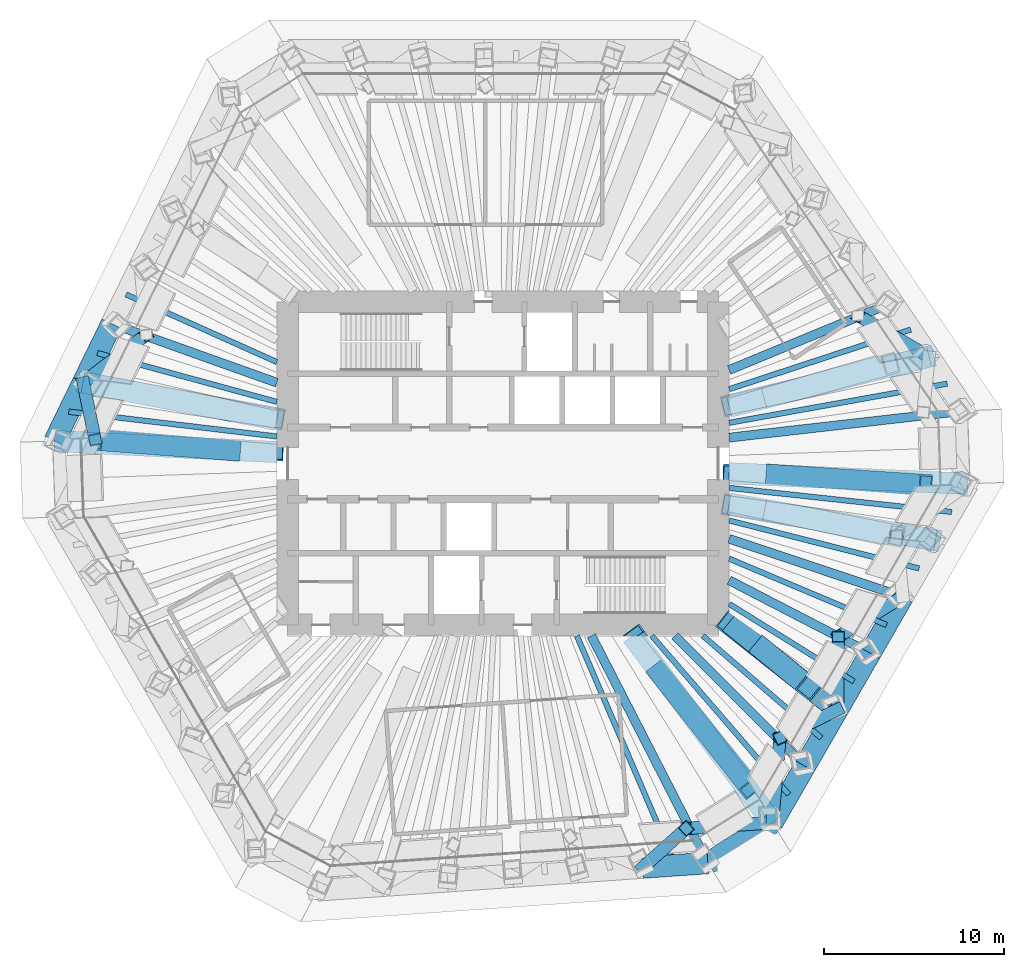
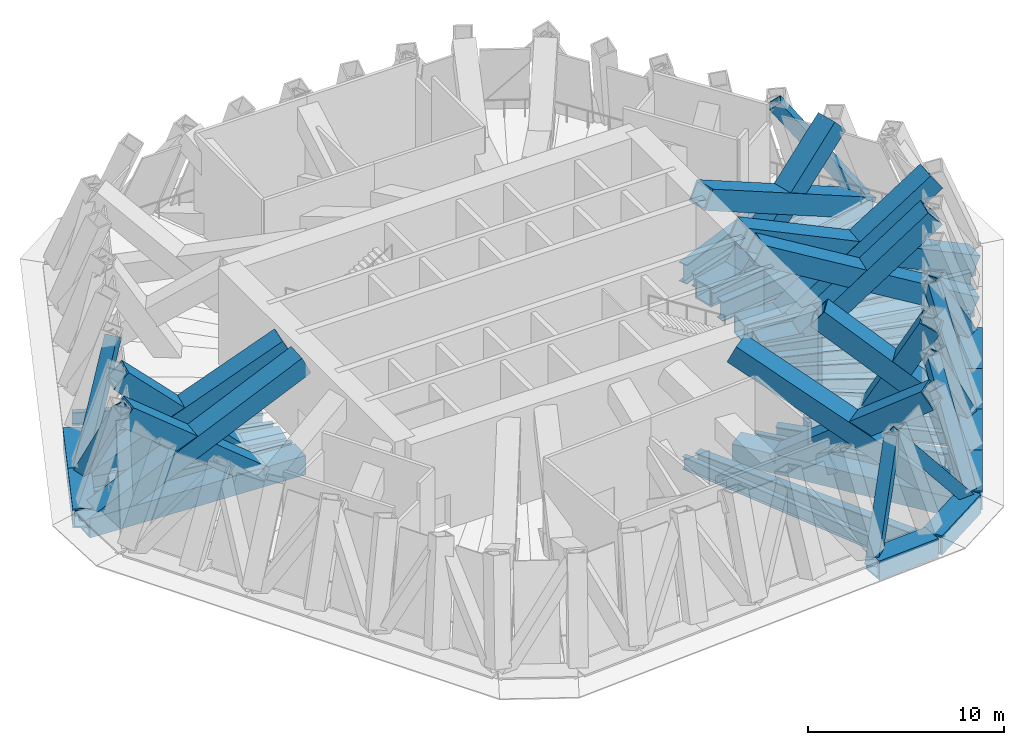
# One storey, part 3 of 12: 31 members, 26 beams.
"""IFC4 building model written with IfcOpenShell, lengths in metres."""

from ifc_helpers import new_model, si_unit, direction, frame, origin, origin_2d, place, context, subcontext, project, spatial, hollow_rectangle, i_section, extrude, material, material_profile, profile_set, type_object, element, save


model = new_model("IFC4")

# Units and contexts
model_context = context("Model", 3, precision=1e-05, world=origin(), true_north=direction((0.0, 1.0)))
body_context = subcontext(model_context, "Body", "Model", "MODEL_VIEW")
ifc_project = project(units=[si_unit("LENGTHUNIT", "METRE"), si_unit("AREAUNIT", "SQUARE_METRE"), si_unit("VOLUMEUNIT", "CUBIC_METRE"), si_unit("PLANEANGLEUNIT", "RADIAN"), si_unit("MASSUNIT", "GRAM", prefix="KILO")], contexts=[model_context])

# Site, building, storey
site_placement = place(None, origin())
site = spatial("IfcSite", under=ifc_project, at=site_placement, CompositionType="ELEMENT")
building_placement = place(site_placement, origin())
building = spatial("IfcBuilding", under=site, at=building_placement, Name="Qingtian Harvest Tower", CompositionType="ELEMENT")
storey_placement = place(building_placement, frame((0.0, 0.0, 256.0)))
storey = spatial("IfcBuildingStorey", under=building, at=storey_placement, Name="L56", CompositionType="ELEMENT", Elevation=256.0)

# Members
ifc_material_1 = material(Name="Steel SM570MC", Category="steel")
ifc_material_profile_1 = material_profile(ifc_material_1, hollow_rectangle(XDim=1.199951171875, YDim=1.199951171875, WallThickness=0.10009765625, at=origin_2d()), Name="BOX1200x1200x100")
ifc_profile_set_1 = profile_set([ifc_material_profile_1], Name="Steel SM570MC")
member_type_1 = type_object("IfcMemberType", Name="Belt truss chord BC3 BOX1200x1200x100", PredefinedType="CHORD", material=ifc_profile_set_1)
for number, where, z_axis, x_axis, name in (
    (1, (22.27099609375, -7.425537109375, -0.60009765625), (-0.499976434558, -0.866039008871, 0.0), (0.866039008871, -0.499976434558, 0.0), "Belt chord BC3 SE2"),
    (2, (20.454345703125, -10.572265625, -0.60009765625), (-0.500026827678, -0.866009914263, 0.0), (0.866009914263, -0.500026827678, 0.0), "Belt chord BC3 SE3"),
    (3, (18.637451171875, -13.718994140625, -0.60009765625), (-0.499976434558, -0.866039008871, 0.0), (0.866039008871, -0.499976434558, 0.0), "Belt chord BC3 SE4"),
    (4, (16.82080078125, -16.86572265625, -0.60009765625), (-0.500026827678, -0.866009914263, 0.0), (0.866009914263, -0.500026827678, 0.0), "Belt chord BC3 SE5"),
):
    element("IfcMember", number, at=place(storey_placement, frame(where, z_axis=z_axis, x_axis=x_axis)), inside=storey, type_object=member_type_1, Name=name, PredefinedType="CHORD", context=body_context, shape_type="SweptSolid", body=[
        extrude(hollow_rectangle(XDim=1.199951171875, YDim=1.199951171875, WallThickness=0.10009765625, at=origin_2d()), origin(), (0.0, 0.0, 1.0), 3.633544921875),
    ])
member_1_placement = place(storey_placement, frame((15.00390625, -20.012451171875, -0.60009765625), z_axis=(-0.848056550838, -0.529905733675, 0.0), x_axis=(0.529905733675, -0.848056550838, 0.0)))
element("IfcMember", 5, at=member_1_placement, inside=storey, type_object=member_type_1, Name="Belt chord BC3 SEC", PredefinedType="CHORD", context=body_context, shape_type="SweptSolid", body=[
    extrude(hollow_rectangle(XDim=1.199951171875, YDim=1.199951171875, WallThickness=0.10009765625, at=origin_2d()), origin(), (0.0, 0.0, 1.0), 4.23828125),
])
member_2_placement = place(storey_placement, frame((11.40966796875, -22.25830078125, -0.60009765625), z_axis=(-0.997564674207, -0.069747550305, 0.0), x_axis=(0.069747550305, -0.997564674207, 0.0)))
element("IfcMember", 6, at=member_2_placement, inside=storey, type_object=member_type_1, Name="Belt chord BC3 S0", PredefinedType="CHORD", context=body_context, shape_type="SweptSolid", body=[
    extrude(hollow_rectangle(XDim=1.199951171875, YDim=1.199951171875, WallThickness=0.10009765625, at=origin_2d()), origin(), (0.0, 0.0, 1.0), 3.63330078125),
])
for number, where, z_axis, x_axis, name in (
    (7, (-24.981201171875, 1.248046875, -0.60009765625), (0.438349498419, 0.898804604592, 0.0), (-0.898804604592, 0.438349498419, 0.0), "Belt chord BC3 NW0"),
    (8, (-23.388427734375, 4.513916015625, -0.60009765625), (0.438430251153, 0.898765216769, 0.0), (-0.898765216769, 0.438430251153, 0.0), "Belt chord BC3 NW1"),
):
    element("IfcMember", number, at=place(storey_placement, frame(where, z_axis=z_axis, x_axis=x_axis)), inside=storey, type_object=member_type_1, Name=name, PredefinedType="CHORD", context=body_context, shape_type="SweptSolid", body=[
        extrude(hollow_rectangle(XDim=1.199951171875, YDim=1.199951171875, WallThickness=0.10009765625, at=origin_2d()), origin(), (0.0, 0.0, 1.0), 3.633544921875),
    ])
ifc_material_2 = material(Name="Steel SM570MC", Category="steel")
ifc_material_profile_2 = material_profile(ifc_material_2, hollow_rectangle(XDim=0.699951171875, YDim=0.699951171875, WallThickness=0.0400390625, at=origin_2d()), Name="BOX700x700x40")
ifc_profile_set_2 = profile_set([ifc_material_profile_2], Name="Steel SM570MC")
member_type_2 = type_object("IfcMemberType", Name="Belt truss diagonal BD3 BOX700x700x40", PredefinedType="BRACE", material=ifc_profile_set_2)
member_3_placement = place(storey_placement, frame((19.77294921875, 8.2392578125, 5.39990234375), z_axis=(0.52462591247, -0.303655847061, -0.795336896234), x_axis=(0.500943668648, 0.865479890489, 0.0)))
element("IfcMember", 9, at=member_3_placement, inside=storey, type_object=member_type_2, Name="Belt truss diagonal BD3 L56 NE4", PredefinedType="BRACE", context=body_context, shape_type="SweptSolid", body=[
    extrude(hollow_rectangle(XDim=0.699951171875, YDim=0.699951171875, WallThickness=0.0400390625, at=origin_2d()), origin(), (0.0, 0.0, 1.0), 7.5439453125),
])
member_4_placement = place(storey_placement, frame((22.27099609375, -7.425537109375, -0.60009765625), z_axis=(-0.489787423364, -0.303410787217, 0.817343363658), x_axis=(0.526616902988, -0.850102721727, 0.0)))
element("IfcMember", 10, at=member_4_placement, inside=storey, type_object=member_type_2, Name="Belt truss diagonal BD3 L56 SE2", PredefinedType="BRACE", context=body_context, shape_type="SweptSolid", body=[
    extrude(hollow_rectangle(XDim=0.699951171875, YDim=0.699951171875, WallThickness=0.0400390625, at=origin_2d()), origin(), (0.0, 0.0, 1.0), 7.3408203125),
])
member_5_placement = place(storey_placement, frame((18.675537109375, -9.65283203125, 5.39990234375), z_axis=(-0.005254601266, -0.560996051782, -0.827801799376), x_axis=(0.999956136695, -0.009366145741, 0.0)))
element("IfcMember", 11, at=member_5_placement, inside=storey, type_object=member_type_2, Name="Belt truss diagonal BD3 L56 SE3", PredefinedType="BRACE", context=body_context, shape_type="SweptSolid", body=[
    extrude(hollow_rectangle(XDim=0.699951171875, YDim=0.699951171875, WallThickness=0.0400390625, at=origin_2d()), origin(), (0.0, 0.0, 1.0), 7.248046875),
])
member_6_placement = place(storey_placement, frame((18.637451171875, -13.718994140625, -0.60009765625), z_axis=(-0.45980566953, -0.223398130283, 0.859460308364), x_axis=(0.437005174723, -0.899458991431, 0.0)))
element("IfcMember", 12, at=member_6_placement, inside=storey, type_object=member_type_2, Name="Belt truss diagonal BD3 L56 SE4", PredefinedType="BRACE", context=body_context, shape_type="SweptSolid", body=[
    extrude(hollow_rectangle(XDim=0.699951171875, YDim=0.699951171875, WallThickness=0.0400390625, at=origin_2d()), origin(), (0.0, 0.0, 1.0), 6.981201171875),
])
member_7_placement = place(storey_placement, frame((15.427490234375, -15.278564453125, 5.39990234375), z_axis=(-0.055338972652, -0.61845687592, -0.783867776308), x_axis=(0.996020623984, -0.089123041909, 0.0)))
element("IfcMember", 13, at=member_7_placement, inside=storey, type_object=member_type_2, Name="Belt truss diagonal BD3 L56 SE5", PredefinedType="BRACE", context=body_context, shape_type="SweptSolid", body=[
    extrude(hollow_rectangle(XDim=0.699951171875, YDim=0.699951171875, WallThickness=0.0400390625, at=origin_2d()), origin(), (0.0, 0.0, 1.0), 7.654296875),
])
member_8_placement = place(storey_placement, frame((15.00390625, -20.012451171875, -0.60009765625), z_axis=(-0.62369502076, -0.042272027326, 0.780523924544), x_axis=(0.067621620953, -0.997711038518, 0.0)))
element("IfcMember", 14, at=member_8_placement, inside=storey, type_object=member_type_2, Name="Belt truss diagonal BD3 L56 SE6", PredefinedType="BRACE", context=body_context, shape_type="SweptSolid", body=[
    extrude(hollow_rectangle(XDim=0.699951171875, YDim=0.699951171875, WallThickness=0.0400390625, at=origin_2d()), origin(), (0.0, 0.0, 1.0), 7.687255859375),
])
for number, where, z_axis, x_axis, name in (
    (15, (10.20947265625, -20.33740234375, 5.39990234375), (-0.355118438212, -0.318497966839, -0.87889131294), (0.667679722869, -0.744448646765, 0.0), "Belt truss diagonal BD3 L56 S0"),
    (16, (-22.71728515625, 1.3271484375, 5.39990234375), (-0.098309219782, 0.466798925359, -0.878882279142), (-0.978534669791, -0.206082265169, 0.0), "Belt truss diagonal BD3 L56 NW0"),
):
    element("IfcMember", number, at=place(storey_placement, frame(where, z_axis=z_axis, x_axis=x_axis)), inside=storey, type_object=member_type_2, Name=name, PredefinedType="BRACE", context=body_context, shape_type="SweptSolid", body=[
        extrude(hollow_rectangle(XDim=0.699951171875, YDim=0.699951171875, WallThickness=0.0400390625, at=origin_2d()), origin(), (0.0, 0.0, 1.0), 6.826904296875),
    ])
member_9_placement = place(storey_placement, frame((-23.388427734375, 4.513916015625, -0.60009765625), z_axis=(0.472697799951, 0.356236973779, 0.806009930729), x_axis=(-0.60185126369, 0.798608199554, 0.0)))
element("IfcMember", 17, at=member_9_placement, inside=storey, type_object=member_type_2, Name="Belt truss diagonal BD3 L56 NW1", PredefinedType="BRACE", context=body_context, shape_type="SweptSolid", body=[
    extrude(hollow_rectangle(XDim=0.699951171875, YDim=0.699951171875, WallThickness=0.0400390625, at=origin_2d()), origin(), (0.0, 0.0, 1.0), 7.444091796875),
])

# Beams
ifc_material_3 = material(Name="Steel SN490B", Category="steel")
ifc_material_profile_3 = material_profile(ifc_material_3, i_section(OverallWidth=0.300048828125, OverallDepth=0.800048828125, WebThickness=0.013916015625, FlangeThickness=0.02587890625, at=origin_2d()), Name="H800x300x14x26")
ifc_profile_set_3 = profile_set([ifc_material_profile_3], Name="Steel SN490B")
beam_type_1 = type_object("IfcBeamType", Name="Floor joist J1 H800x300x14x26", PredefinedType="JOIST", material=ifc_profile_set_3)
beam_1_placement = place(storey_placement, frame((22.71484375, 7.454833984375, -0.679931640625), z_axis=(-0.950138567513, -0.311828001508, 0.0), x_axis=(0.311828001508, -0.950138567513, 0.0)))
element("IfcBeam", 18, at=beam_1_placement, inside=storey, type_object=beam_type_1, Name="Floor joist J1 NE4", PredefinedType="JOIST", context=body_context, shape_type="SweptSolid", body=[
    extrude(i_section(OverallWidth=0.300048828125, OverallDepth=0.800048828125, WebThickness=0.013916015625, FlangeThickness=0.02587890625, at=origin_2d()), origin(), (0.0, 0.0, 1.0), 10.6455078125),
])
beam_2_placement = place(storey_placement, frame((24.74658203125, 4.4423828125, -0.679931640625), z_axis=(-0.98426723745, -0.176686177393, 0.0), x_axis=(0.176686177393, -0.98426723745, 0.0)))
element("IfcBeam", 19, at=beam_2_placement, inside=storey, type_object=beam_type_1, Name="Floor joist J1 NE5", PredefinedType="JOIST", context=body_context, shape_type="SweptSolid", body=[
    extrude(i_section(OverallWidth=0.300048828125, OverallDepth=0.800048828125, WebThickness=0.013916015625, FlangeThickness=0.02587890625, at=origin_2d()), origin(), (0.0, 0.0, 1.0), 12.340576171875),
])
beam_3_placement = place(storey_placement, frame((24.99609375, -2.705322265625, -0.679931640625), z_axis=(-0.994194656298, 0.107596400448, 0.0), x_axis=(-0.107596400448, -0.994194656298, 0.0)))
element("IfcBeam", 20, at=beam_3_placement, inside=storey, type_object=beam_type_1, Name="Floor joist J1 SE0", PredefinedType="JOIST", context=body_context, shape_type="SweptSolid", body=[
    extrude(i_section(OverallWidth=0.300048828125, OverallDepth=0.800048828125, WebThickness=0.013916015625, FlangeThickness=0.02587890625, at=origin_2d()), origin(), (0.0, 0.0, 1.0), 12.46826171875),
])
beam_4_placement = place(storey_placement, frame((23.179443359375, -5.85205078125, -0.679931640625), z_axis=(-0.969577887027, 0.244783007963, 0.0), x_axis=(-0.244783007963, -0.969577887027, 0.0)))
element("IfcBeam", 21, at=beam_4_placement, inside=storey, type_object=beam_type_1, Name="Floor joist J1 SE1", PredefinedType="JOIST", context=body_context, shape_type="SweptSolid", body=[
    extrude(i_section(OverallWidth=0.300048828125, OverallDepth=0.800048828125, WebThickness=0.013916015625, FlangeThickness=0.02587890625, at=origin_2d()), origin(), (0.0, 0.0, 1.0), 10.911376953125),
])
beam_5_placement = place(storey_placement, frame((21.362548828125, -8.998779296875, -0.679931640625), z_axis=(-0.921571079516, 0.388209666803, 0.0), x_axis=(-0.388209666803, -0.921571079516, 0.0)))
element("IfcBeam", 22, at=beam_5_placement, inside=storey, type_object=beam_type_1, Name="Floor joist J1 SE2", PredefinedType="JOIST", context=body_context, shape_type="SweptSolid", body=[
    extrude(i_section(OverallWidth=0.300048828125, OverallDepth=0.800048828125, WebThickness=0.013916015625, FlangeThickness=0.02587890625, at=origin_2d()), origin(), (0.0, 0.0, 1.0), 9.508056640625),
])
beam_6_placement = place(storey_placement, frame((19.5458984375, -12.1455078125, -0.679931640625), z_axis=(-0.849380822906, 0.527780463526, 0.0), x_axis=(-0.527780463526, -0.849380822906, 0.0)))
element("IfcBeam", 23, at=beam_6_placement, inside=storey, type_object=beam_type_1, Name="Floor joist J1 SE3", PredefinedType="JOIST", context=body_context, shape_type="SweptSolid", body=[
    extrude(i_section(OverallWidth=0.300048828125, OverallDepth=0.800048828125, WebThickness=0.013916015625, FlangeThickness=0.02587890625, at=origin_2d()), origin(), (0.0, 0.0, 1.0), 8.177490234375),
])
beam_7_placement = place(storey_placement, frame((17.72900390625, -15.292236328125, -0.679931640625), z_axis=(-0.757237954988, 0.653139096613, 0.0), x_axis=(-0.653139096613, -0.757237954988, 0.0)))
element("IfcBeam", 24, at=beam_7_placement, inside=storey, type_object=beam_type_1, Name="Floor joist J1 SE4", PredefinedType="JOIST", context=body_context, shape_type="SweptSolid", body=[
    extrude(i_section(OverallWidth=0.300048828125, OverallDepth=0.800048828125, WebThickness=0.013916015625, FlangeThickness=0.02587890625, at=origin_2d()), origin(), (0.0, 0.0, 1.0), 8.715087890625),
])
beam_8_placement = place(storey_placement, frame((15.912353515625, -18.43896484375, -0.679931640625), z_axis=(-0.653343257086, 0.757061812813, 0.0), x_axis=(-0.757061812813, -0.653343257086, 0.0)))
element("IfcBeam", 25, at=beam_8_placement, inside=storey, type_object=beam_type_1, Name="Floor joist J1 SE5", PredefinedType="JOIST", context=body_context, shape_type="SweptSolid", body=[
    extrude(i_section(OverallWidth=0.300048828125, OverallDepth=0.800048828125, WebThickness=0.013916015625, FlangeThickness=0.02587890625, at=origin_2d()), origin(), (0.0, 0.0, 1.0), 11.67529296875),
])
beam_9_placement = place(storey_placement, frame((9.597412109375, -22.385009765625, -0.679931640625), z_axis=(-0.394052741766, 0.919087828614, 0.0), x_axis=(-0.919087828614, -0.394052741766, 0.0)))
element("IfcBeam", 26, at=beam_9_placement, inside=storey, type_object=beam_type_1, Name="Floor joist J1 S0", PredefinedType="JOIST", context=body_context, shape_type="SweptSolid", body=[
    extrude(i_section(OverallWidth=0.300048828125, OverallDepth=0.800048828125, WebThickness=0.013916015625, FlangeThickness=0.02587890625, at=origin_2d()), origin(), (0.0, 0.0, 1.0), 13.910400390625),
])
beam_10_placement = place(storey_placement, frame((-24.184814453125, 2.880859375, -0.679931640625), z_axis=(0.992980727423, -0.11827626544, 0.0), x_axis=(0.11827626544, 0.992980727423, 0.0)))
element("IfcBeam", 27, at=beam_10_placement, inside=storey, type_object=beam_type_1, Name="Floor joist J1 NW0", PredefinedType="JOIST", context=body_context, shape_type="SweptSolid", body=[
    extrude(i_section(OverallWidth=0.300048828125, OverallDepth=0.800048828125, WebThickness=0.013916015625, FlangeThickness=0.02587890625, at=origin_2d()), origin(), (0.0, 0.0, 1.0), 11.66650390625),
])
beam_11_placement = place(storey_placement, frame((-22.591796875, 6.146728515625, -0.679931640625), z_axis=(0.964923062728, -0.26253282274, 0.0), x_axis=(0.26253282274, 0.964923062728, 0.0)))
element("IfcBeam", 28, at=beam_11_placement, inside=storey, type_object=beam_type_1, Name="Floor joist J1 NW1", PredefinedType="JOIST", context=body_context, shape_type="SweptSolid", body=[
    extrude(i_section(OverallWidth=0.300048828125, OverallDepth=0.800048828125, WebThickness=0.013916015625, FlangeThickness=0.02587890625, at=origin_2d()), origin(), (0.0, 0.0, 1.0), 10.35498046875),
])
beam_12_placement = place(storey_placement, frame((-20.9990234375, 9.41259765625, -0.679931640625), z_axis=(0.912515128421, -0.409042956671, 0.0), x_axis=(0.409042956671, 0.912515128421, 0.0)))
element("IfcBeam", 29, at=beam_12_placement, inside=storey, type_object=beam_type_1, Name="Floor joist J1 NW2", PredefinedType="JOIST", context=body_context, shape_type="SweptSolid", body=[
    extrude(i_section(OverallWidth=0.300048828125, OverallDepth=0.800048828125, WebThickness=0.013916015625, FlangeThickness=0.02587890625, at=origin_2d()), origin(), (0.0, 0.0, 1.0), 9.2041015625),
])
ifc_material_4 = material(Name="Steel SM570MC", Category="steel")
ifc_material_profile_4 = material_profile(ifc_material_4, hollow_rectangle(XDim=1.199951171875, YDim=1.199951171875, WallThickness=0.10009765625, at=origin_2d()), Name="BOX1200x1200x100")
ifc_profile_set_4 = profile_set([ifc_material_profile_4], Name="Steel SM570MC")
beam_type_2 = type_object("IfcBeamType", Name="Outrigger chord beam OC2 BOX1200x1200x100", PredefinedType="BEAM", material=ifc_profile_set_4)
beam_13_placement = place(storey_placement, frame((23.730712890625, 5.948486328125, -0.8798828125), z_axis=(-0.969990876487, -0.243141315972, 0.0), x_axis=(0.243141315972, -0.969990876487, 0.0)))
element("IfcBeam", 30, at=beam_13_placement, inside=storey, type_object=beam_type_2, Name="Floor beam OC2 NE5", PredefinedType="BEAM", context=body_context, shape_type="SweptSolid", body=[
    extrude(hollow_rectangle(XDim=1.199951171875, YDim=1.199951171875, WallThickness=0.10009765625, at=origin_2d()), origin(), (0.0, 0.0, 1.0), 11.474853515625),
])
beam_14_placement = place(storey_placement, frame((25.904541015625, -1.1318359375, -0.8798828125), z_axis=(-0.999046865424, 0.043650437408, 0.0), x_axis=(-0.043650437408, -0.999046865424, 0.0)))
element("IfcBeam", 31, at=beam_14_placement, inside=storey, type_object=beam_type_2, Name="Floor beam OC2 SE0", PredefinedType="BEAM", context=body_context, shape_type="SweptSolid", body=[
    extrude(hollow_rectangle(XDim=1.199951171875, YDim=1.199951171875, WallThickness=0.10009765625, at=origin_2d()), origin(), (0.0, 0.0, 1.0), 13.317138671875),
])
beam_15_placement = place(storey_placement, frame((24.087890625, -4.27880859375, -0.8798828125), z_axis=(-0.98458469654, 0.174908477034, 0.0), x_axis=(-0.174908477034, -0.98458469654, 0.0)))
element("IfcBeam", 32, at=beam_15_placement, inside=storey, type_object=beam_type_2, Name="Floor beam OC2 SE1", PredefinedType="BEAM", context=body_context, shape_type="SweptSolid", body=[
    extrude(hollow_rectangle(XDim=1.199951171875, YDim=1.199951171875, WallThickness=0.10009765625, at=origin_2d()), origin(), (0.0, 0.0, 1.0), 11.667724609375),
])
beam_16_placement = place(storey_placement, frame((18.637451171875, -13.718994140625, -0.8798828125), z_axis=(-0.77840907003, 0.62775737327, 0.0), x_axis=(-0.62775737327, -0.77840907003, 0.0)))
element("IfcBeam", 33, at=beam_16_placement, inside=storey, type_object=beam_type_2, Name="Floor beam OC2 SE4", PredefinedType="BEAM", context=body_context, shape_type="SweptSolid", body=[
    extrude(hollow_rectangle(XDim=1.199951171875, YDim=1.199951171875, WallThickness=0.10009765625, at=origin_2d()), origin(), (0.0, 0.0, 1.0), 7.756103515625),
])
beam_17_placement = place(storey_placement, frame((15.00390625, -20.012451171875, -0.8798828125), z_axis=(-0.599858913609, 0.800105795357, 0.0), x_axis=(-0.800105795357, -0.599858913609, 0.0)))
element("IfcBeam", 34, at=beam_17_placement, inside=storey, type_object=beam_type_2, Name="Floor beam OC2 SE6", PredefinedType="BEAM", context=body_context, shape_type="SweptSolid", body=[
    extrude(hollow_rectangle(XDim=1.199951171875, YDim=1.199951171875, WallThickness=0.10009765625, at=origin_2d()), origin(), (0.0, 0.0, 1.0), 13.013671875),
])
beam_18_placement = place(storey_placement, frame((-24.981201171875, 1.248046875, -0.8798828125), z_axis=(0.998753959075, -0.049905202459, 0.0), x_axis=(0.049905202459, 0.998753959075, 0.0)))
element("IfcBeam", 35, at=beam_18_placement, inside=storey, type_object=beam_type_2, Name="Floor beam OC2 NW0", PredefinedType="BEAM", context=body_context, shape_type="SweptSolid", body=[
    extrude(hollow_rectangle(XDim=1.199951171875, YDim=1.199951171875, WallThickness=0.10009765625, at=origin_2d()), origin(), (0.0, 0.0, 1.0), 12.396484375),
])
beam_19_placement = place(storey_placement, frame((-23.388427734375, 4.513916015625, -0.8798828125), z_axis=(0.981878004162, -0.189514075845, 0.0), x_axis=(0.189514075845, 0.981878004162, 0.0)))
element("IfcBeam", 36, at=beam_19_placement, inside=storey, type_object=beam_type_2, Name="Floor beam OC2 NW1", PredefinedType="BEAM", context=body_context, shape_type="SweptSolid", body=[
    extrude(hollow_rectangle(XDim=1.199951171875, YDim=1.199951171875, WallThickness=0.10009765625, at=origin_2d()), origin(), (0.0, 0.0, 1.0), 10.987548828125),
])

# Members
ifc_material_5 = material(Name="Steel SM570MC", Category="steel")
ifc_material_profile_5 = material_profile(ifc_material_5, hollow_rectangle(XDim=1.199951171875, YDim=1.199951171875, WallThickness=0.10009765625, at=origin_2d()), Name="BOX1200x1200x100")
ifc_profile_set_5 = profile_set([ifc_material_profile_5], Name="Steel SM570MC")
member_type_3 = type_object("IfcMemberType", Name="Outrigger diagonal OT3 BOX1200x1200x100", PredefinedType="BRACE", material=ifc_profile_set_5)
member_10_placement = place(storey_placement, frame((23.730712890625, 5.948486328125, -0.8798828125), z_axis=(-0.858957553159, -0.209338343264, 0.467300096202), x_axis=(0.236781627098, -0.971562896095, 0.0)))
element("IfcMember", 37, at=member_10_placement, inside=storey, type_object=member_type_3, Name="Outrigger diagonal OT3 L56 NE5-1", PredefinedType="BRACE", context=body_context, shape_type="SweptSolid", body=[
    extrude(hollow_rectangle(XDim=1.199951171875, YDim=1.199951171875, WallThickness=0.10009765625, at=origin_2d()), origin(), (0.0, 0.0, 1.0), 13.07470703125),
])
member_11_placement = place(storey_placement, frame((14.927978515625, 3.741943359375, -0.8798828125), z_axis=(0.722692444577, 0.195790454474, 0.662858754553), x_axis=(-0.261491689137, 0.965205727559, 0.0)))
element("IfcMember", 38, at=member_11_placement, inside=storey, type_object=member_type_3, Name="Outrigger diagonal OT3 L56 NE5-2", PredefinedType="BRACE", context=body_context, shape_type="SweptSolid", body=[
    extrude(hollow_rectangle(XDim=1.199951171875, YDim=1.199951171875, WallThickness=0.10009765625, at=origin_2d()), origin(), (0.0, 0.0, 1.0), 9.217529296875),
])
member_12_placement = place(storey_placement, frame((24.087890625, -4.27880859375, -0.8798828125), z_axis=(-0.874612327694, 0.149644503481, 0.461150516452), x_axis=(-0.168647363508, -0.985676451368, 0.0)))
element("IfcMember", 39, at=member_12_placement, inside=storey, type_object=member_type_3, Name="Outrigger diagonal OT3 L56 SE1-1", PredefinedType="BRACE", context=body_context, shape_type="SweptSolid", body=[
    extrude(hollow_rectangle(XDim=1.199951171875, YDim=1.199951171875, WallThickness=0.10009765625, at=origin_2d()), origin(), (0.0, 0.0, 1.0), 13.249267578125),
])
member_13_placement = place(storey_placement, frame((14.962890625, -2.657958984375, -0.8798828125), z_axis=(0.743466003752, -0.146236798044, 0.652589534211), x_axis=(0.192997961346, 0.981199157621, 0.0)))
element("IfcMember", 40, at=member_13_placement, inside=storey, type_object=member_type_3, Name="Outrigger diagonal OT3 L56 SE1-2", PredefinedType="BRACE", context=body_context, shape_type="SweptSolid", body=[
    extrude(hollow_rectangle(XDim=1.199951171875, YDim=1.199951171875, WallThickness=0.10009765625, at=origin_2d()), origin(), (0.0, 0.0, 1.0), 9.362548828125),
])
member_14_placement = place(storey_placement, frame((-23.388427734375, 4.513916015625, -0.8798828125), z_axis=(0.860876550864, -0.159806205624, 0.483066807819), x_axis=(0.182513953585, 0.98320326319, 0.0)))
element("IfcMember", 41, at=member_14_placement, inside=storey, type_object=member_type_3, Name="Outrigger diagonal OT3 L56 NW1-1", PredefinedType="BRACE", context=body_context, shape_type="SweptSolid", body=[
    extrude(hollow_rectangle(XDim=1.199951171875, YDim=1.199951171875, WallThickness=0.10009765625, at=origin_2d()), origin(), (0.0, 0.0, 1.0), 12.64794921875),
])
member_15_placement = place(storey_placement, frame((-14.95654296875, 2.886474609375, -0.8798828125), z_axis=(-0.711446572809, 0.152672114754, 0.685955537491), x_axis=(-0.209817202745, -0.977740630961, 0.0)))
element("IfcMember", 42, at=member_15_placement, inside=storey, type_object=member_type_3, Name="Outrigger diagonal OT3 L56 NW1-2", PredefinedType="BRACE", context=body_context, shape_type="SweptSolid", body=[
    extrude(hollow_rectangle(XDim=1.199951171875, YDim=1.199951171875, WallThickness=0.10009765625, at=origin_2d()), origin(), (0.0, 0.0, 1.0), 8.906982421875),
])
member_16_placement = place(storey_placement, frame((18.637451171875, -13.718994140625, -0.8798828125), z_axis=(-0.617758482396, 0.490073487983, 0.614981653225), x_axis=(-0.621493655842, -0.783419195417, 0.0)))
element("IfcMember", 43, at=member_16_placement, inside=storey, type_object=member_type_3, Name="Outrigger diagonal OT3 L56 SE4-1", PredefinedType="BRACE", context=body_context, shape_type="SweptSolid", body=[
    extrude(hollow_rectangle(XDim=1.199951171875, YDim=1.199951171875, WallThickness=0.10009765625, at=origin_2d()), origin(), (0.0, 0.0, 1.0), 9.93505859375),
])
member_17_placement = place(storey_placement, frame((14.46826171875, -10.356689453125, -0.8798828125), z_axis=(0.371116851328, -0.30300335305, 0.877759221371), x_axis=(0.632440144142, 0.774609233148, 0.0)))
element("IfcMember", 44, at=member_17_placement, inside=storey, type_object=member_type_3, Name="Outrigger diagonal OT3 L56 SE4-2", PredefinedType="BRACE", context=body_context, shape_type="SweptSolid", body=[
    extrude(hollow_rectangle(XDim=1.199951171875, YDim=1.199951171875, WallThickness=0.10009765625, at=origin_2d()), origin(), (0.0, 0.0, 1.0), 6.960693359375),
])
member_18_placement = place(storey_placement, frame((15.00390625, -20.012451171875, -0.8798828125), z_axis=(-0.537765985977, 0.728922013102, 0.423651322601), x_axis=(-0.804704810465, -0.593675136767, 0.0)))
element("IfcMember", 45, at=member_18_placement, inside=storey, type_object=member_type_3, Name="Outrigger diagonal OT3 L56 SE6-1", PredefinedType="BRACE", context=body_context, shape_type="SweptSolid", body=[
    extrude(hollow_rectangle(XDim=1.199951171875, YDim=1.199951171875, WallThickness=0.10009765625, at=origin_2d()), origin(), (0.0, 0.0, 1.0), 14.421875),
])
member_19_placement = place(storey_placement, frame((8.636962890625, -11.520263671875, -0.8798828125), z_axis=(0.498986937677, -0.634662716875, 0.590097679912), x_axis=(0.786123712281, 0.618069178158, 0.0)))
element("IfcMember", 46, at=member_19_placement, inside=storey, type_object=member_type_3, Name="Outrigger diagonal OT3 L56 SE6-2", PredefinedType="BRACE", context=body_context, shape_type="SweptSolid", body=[
    extrude(hollow_rectangle(XDim=1.199951171875, YDim=1.199951171875, WallThickness=0.10009765625, at=origin_2d()), origin(), (0.0, 0.0, 1.0), 10.35400390625),
])
member_20_placement = place(storey_placement, frame((25.904541015625, -1.1318359375, -0.8798828125), z_axis=(-0.909436624891, 0.033061387912, 0.414526199336), x_axis=(-0.036329703259, -0.999339858437, 0.0)))
element("IfcMember", 47, at=member_20_placement, inside=storey, type_object=member_type_3, Name="Outrigger diagonal OT3 L56 SE0-1", PredefinedType="BRACE", context=body_context, shape_type="SweptSolid", body=[
    extrude(hollow_rectangle(XDim=1.199951171875, YDim=1.199951171875, WallThickness=0.10009765625, at=origin_2d()), origin(), (0.0, 0.0, 1.0), 14.739501953125),
])
member_21_placement = place(storey_placement, frame((14.997802734375, -0.6552734375, -0.8798828125), z_axis=(0.81245570831, -0.053127457796, 0.580597274591), x_axis=(0.065251845082, 0.997868827408, 0.0)))
element("IfcMember", 48, at=member_21_placement, inside=storey, type_object=member_type_3, Name="Outrigger diagonal OT3 L56 SE0-2", PredefinedType="BRACE", context=body_context, shape_type="SweptSolid", body=[
    extrude(hollow_rectangle(XDim=1.199951171875, YDim=1.199951171875, WallThickness=0.10009765625, at=origin_2d()), origin(), (0.0, 0.0, 1.0), 10.5234375),
])
member_22_placement = place(storey_placement, frame((-24.981201171875, 1.248046875, -0.8798828125), z_axis=(0.897535803862, -0.037237123017, 0.43936645008), x_axis=(0.041452515456, 0.99914047509, 0.0)))
element("IfcMember", 49, at=member_22_placement, inside=storey, type_object=member_type_3, Name="Outrigger diagonal OT3 L56 NW0-1", PredefinedType="BRACE", context=body_context, shape_type="SweptSolid", body=[
    extrude(hollow_rectangle(XDim=1.199951171875, YDim=1.199951171875, WallThickness=0.10009765625, at=origin_2d()), origin(), (0.0, 0.0, 1.0), 13.906005859375),
])
member_23_placement = place(storey_placement, frame((-14.9970703125, 0.749267578125, -0.8798828125), z_axis=(-0.78279609594, 0.058594597403, 0.619513474701), x_axis=(-0.074644128385, -0.997210235656, 0.0)))
element("IfcMember", 50, at=member_23_placement, inside=storey, type_object=member_type_3, Name="Outrigger diagonal OT3 L56 NW0-2", PredefinedType="BRACE", context=body_context, shape_type="SweptSolid", body=[
    extrude(hollow_rectangle(XDim=1.199951171875, YDim=1.199951171875, WallThickness=0.10009765625, at=origin_2d()), origin(), (0.0, 0.0, 1.0), 9.8623046875),
])

# Beams
ifc_material_6 = material(Name="Steel SM570MC", Category="steel")
ifc_material_profile_6 = material_profile(ifc_material_6, i_section(OverallWidth=0.5, OverallDepth=1.199951171875, WebThickness=0.02490234375, FlangeThickness=0.050048828125, at=origin_2d()), Name="H1200x500x25x50")
ifc_profile_set_6 = profile_set([ifc_material_profile_6], Name="Steel SM570MC")
beam_type_3 = type_object("IfcBeamType", Name="Plant corner beam FB10 H1200x500x25x50", PredefinedType="BEAM", material=ifc_profile_set_6)
beam_20_placement = place(storey_placement, frame((25.762451171875, 2.936279296875, -0.8798828125), z_axis=(-0.993566901619, -0.113246686522, 0.0), x_axis=(0.113246686522, -0.993566901619, 0.0)))
element("IfcBeam", 51, at=beam_20_placement, inside=storey, type_object=beam_type_3, Name="Floor beam FB10 NE6", PredefinedType="BEAM", context=body_context, shape_type="SweptSolid", body=[
    extrude(i_section(OverallWidth=0.5, OverallDepth=1.199951171875, WebThickness=0.02490234375, FlangeThickness=0.050048828125, at=origin_2d()), origin(), (0.0, 0.0, 1.0), 13.24755859375),
])
beam_21_placement = place(storey_placement, frame((11.40966796875, -22.25830078125, -0.8798828125), z_axis=(-0.456157396608, 0.889899111989, 0.0), x_axis=(-0.889899111989, -0.456157396608, 0.0)))
element("IfcBeam", 52, at=beam_21_placement, inside=storey, type_object=beam_type_3, Name="Floor beam FB10 S0", PredefinedType="BEAM", context=body_context, shape_type="SweptSolid", body=[
    extrude(i_section(OverallWidth=0.5, OverallDepth=1.199951171875, WebThickness=0.02490234375, FlangeThickness=0.050048828125, at=origin_2d()), origin(), (0.0, 0.0, 1.0), 14.224365234375),
])
ifc_material_7 = material(Name="Steel SM570MC", Category="steel")
ifc_material_profile_7 = material_profile(ifc_material_7, i_section(OverallWidth=0.5, OverallDepth=1.199951171875, WebThickness=0.02490234375, FlangeThickness=0.050048828125, at=origin_2d()), Name="H1200x500x25x50")
ifc_profile_set_7 = profile_set([ifc_material_profile_7], Name="Steel SM570MC")
beam_type_4 = type_object("IfcBeamType", Name="Plant floor beam FB7 H1200x500x25x50", PredefinedType="BEAM", material=ifc_profile_set_7)
beam_22_placement = place(storey_placement, frame((21.69873046875, 8.9609375, -0.8798828125), z_axis=(-0.924281590361, -0.381711332973, 0.0), x_axis=(0.381711332973, -0.924281590361, 0.0)))
element("IfcBeam", 53, at=beam_22_placement, inside=storey, type_object=beam_type_4, Name="Floor beam FB7 NE4", PredefinedType="BEAM", context=body_context, shape_type="SweptSolid", body=[
    extrude(i_section(OverallWidth=0.5, OverallDepth=1.199951171875, WebThickness=0.02490234375, FlangeThickness=0.050048828125, at=origin_2d()), origin(), (0.0, 0.0, 1.0), 9.843994140625),
])
beam_23_placement = place(storey_placement, frame((22.27099609375, -7.425537109375, -0.8798828125), z_axis=(-0.948654555734, 0.316313979908, 0.0), x_axis=(-0.316313979908, -0.948654555734, 0.0)))
element("IfcBeam", 54, at=beam_23_placement, inside=storey, type_object=beam_type_4, Name="Floor beam FB7 SE2", PredefinedType="BEAM", context=body_context, shape_type="SweptSolid", body=[
    extrude(i_section(OverallWidth=0.5, OverallDepth=1.199951171875, WebThickness=0.02490234375, FlangeThickness=0.050048828125, at=origin_2d()), origin(), (0.0, 0.0, 1.0), 10.1943359375),
])
beam_24_placement = place(storey_placement, frame((20.454345703125, -10.572265625, -0.8798828125), z_axis=(-0.888343501027, 0.459179511938, 0.0), x_axis=(-0.459179511938, -0.888343501027, 0.0)))
element("IfcBeam", 55, at=beam_24_placement, inside=storey, type_object=beam_type_4, Name="Floor beam FB7 SE3", PredefinedType="BEAM", context=body_context, shape_type="SweptSolid", body=[
    extrude(i_section(OverallWidth=0.5, OverallDepth=1.199951171875, WebThickness=0.02490234375, FlangeThickness=0.050048828125, at=origin_2d()), origin(), (0.0, 0.0, 1.0), 8.841552734375),
])
beam_25_placement = place(storey_placement, frame((16.82080078125, -16.86572265625, -0.8798828125), z_axis=(-0.70616637797, 0.708045935392, 0.0), x_axis=(-0.708045935392, -0.70616637797, 0.0)))
element("IfcBeam", 56, at=beam_25_placement, inside=storey, type_object=beam_type_4, Name="Floor beam FB7 SE5", PredefinedType="BEAM", context=body_context, shape_type="SweptSolid", body=[
    extrude(i_section(OverallWidth=0.5, OverallDepth=1.199951171875, WebThickness=0.02490234375, FlangeThickness=0.050048828125, at=origin_2d()), origin(), (0.0, 0.0, 1.0), 10.261474609375),
])
beam_26_placement = place(storey_placement, frame((-21.79541015625, 7.779541015625, -0.8798828125), z_axis=(0.941800733255, -0.336171650857, 0.0), x_axis=(0.336171650857, 0.941800733255, 0.0)))
element("IfcBeam", 57, at=beam_26_placement, inside=storey, type_object=beam_type_4, Name="Floor beam FB7 NW2", PredefinedType="BEAM", context=body_context, shape_type="SweptSolid", body=[
    extrude(i_section(OverallWidth=0.5, OverallDepth=1.199951171875, WebThickness=0.02490234375, FlangeThickness=0.050048828125, at=origin_2d()), origin(), (0.0, 0.0, 1.0), 9.763427734375),
])

save(model, "model.ifc")
